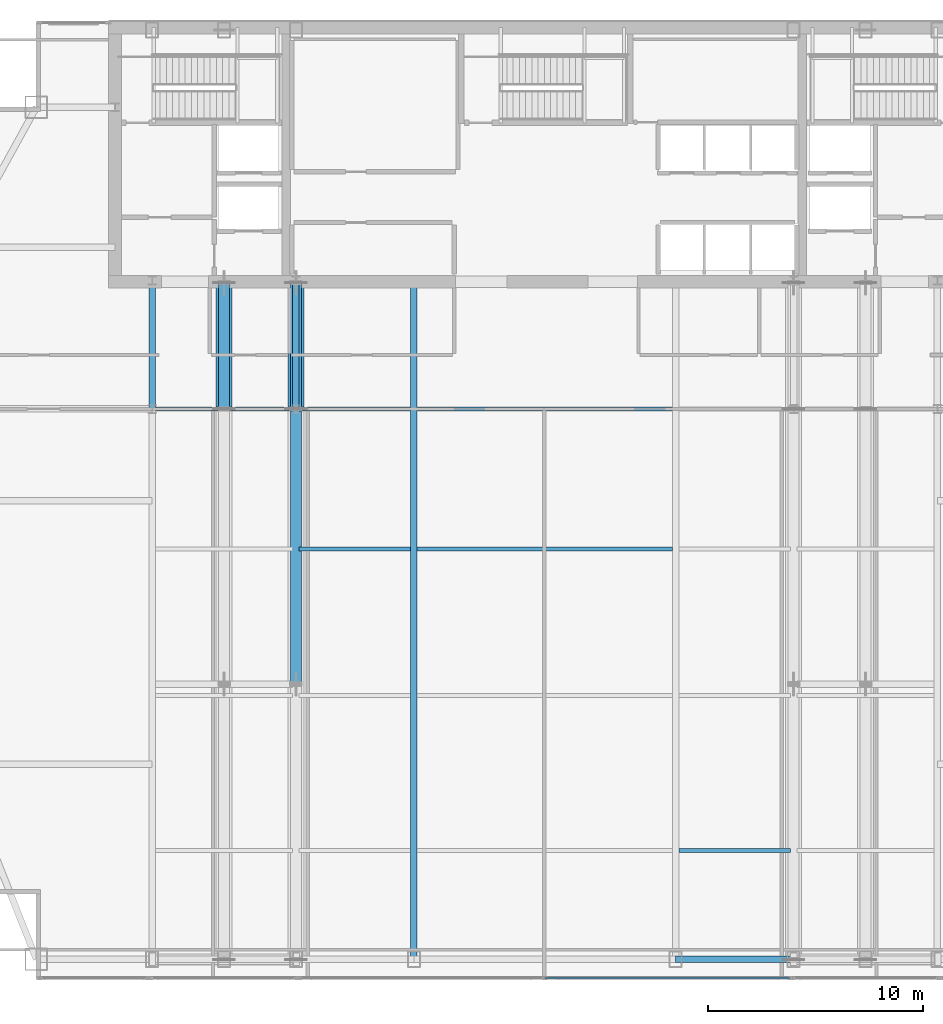
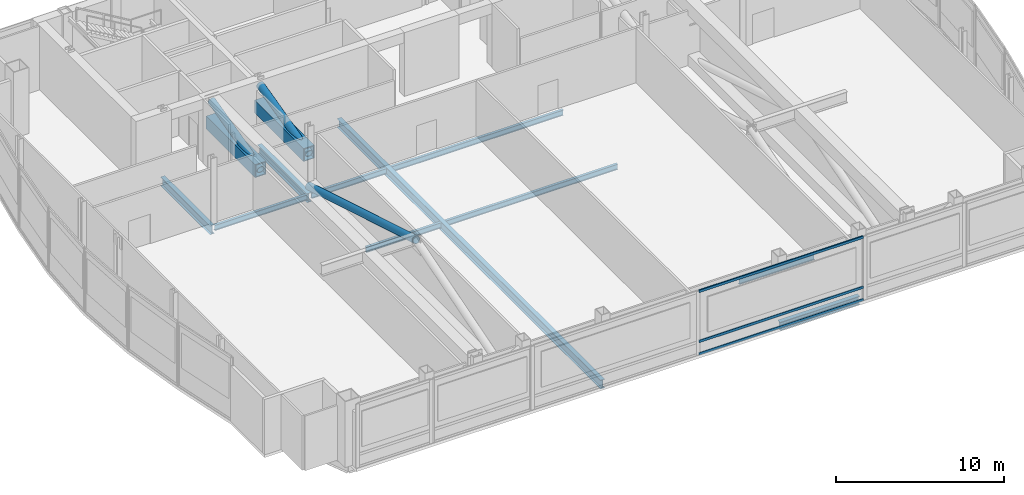
# One storey, part 15 of 32: 10 beams, 8 members, 1 element without a shape of its own.
"""IFC4 building model written with IfcOpenShell, lengths in metres."""

from ifc_helpers import new_model, si_unit, direction, frame, origin, origin_2d, place, context, subcontext, project, spatial, hollow_rectangle, hollow_circle, i_section, extrude, material, material_profile, profile_set, type_object, element, aggregate, save


model = new_model("IFC4")

# Units and contexts
model_context = context("Model", 3, precision=1e-05, world=origin(), true_north=direction((0.0, 1.0)))
body_context = subcontext(model_context, "Body", "Model", "MODEL_VIEW")
ifc_project = project(units=[si_unit("LENGTHUNIT", "METRE"), si_unit("AREAUNIT", "SQUARE_METRE"), si_unit("VOLUMEUNIT", "CUBIC_METRE"), si_unit("PLANEANGLEUNIT", "RADIAN"), si_unit("MASSUNIT", "GRAM", prefix="KILO")], contexts=[model_context])

# Site, building, storey
site_placement = place(None, origin())
site = spatial("IfcSite", under=ifc_project, at=site_placement, CompositionType="ELEMENT")
building_placement = place(site_placement, origin())
building = spatial("IfcBuilding", under=site, at=building_placement, Name="Khoronbel Lancet Exchange", CompositionType="ELEMENT")
storey_placement = place(building_placement, frame((0.0, 0.0, 257.0)))
storey = spatial("IfcBuildingStorey", under=building, at=storey_placement, Name="L66", CompositionType="ELEMENT", Elevation=257.0)

# Beams
ifc_material_1 = material(Name="Steel S355", Category="steel")
ifc_material_profile_1 = material_profile(ifc_material_1, i_section(OverallWidth=0.300048828125, OverallDepth=0.64990234375, WebThickness=0.01611328125, FlangeThickness=0.031005859375, at=origin_2d()), Name="HEB 650")
ifc_profile_set_1 = profile_set([ifc_material_profile_1], Name="Steel S355")
beam_type_1 = type_object("IfcBeamType", Name="BM-BG4", PredefinedType="BEAM", material=ifc_profile_set_1)
for number, where, z_axis, x_axis, name in (
    (1, (18.22509765625, 35.699951171875, -0.544921875), (0.0, 1.0, 0.0), (-1.0, 0.0, 0.0), "Level L66 spine tie girder GN1"),
    (2, (24.89990234375, 35.699951171875, -0.544921875), (0.0, 1.0, 0.0), (-1.0, 0.0, 0.0), "Level L66 spine tie girder GN2"),
):
    element("IfcBeam", number, at=place(storey_placement, frame(where, z_axis=z_axis, x_axis=x_axis)), inside=storey, type_object=beam_type_1, Name=name, PredefinedType="BEAM", context=body_context, shape_type="SweptSolid", body=[
        extrude(i_section(OverallWidth=0.300048828125, OverallDepth=0.64990234375, WebThickness=0.01611328125, FlangeThickness=0.031005859375, at=origin_2d()), origin(), (0.0, 0.0, 1.0), 5.900146484375),
    ])
beam_1_placement = place(storey_placement, frame((30.375, 10.14990234375, -0.544921875), z_axis=(0.0, 1.0, 0.0), x_axis=(-1.0, 0.0, 0.0)))
element("IfcBeam", 3, at=beam_1_placement, inside=storey, type_object=beam_type_1, Name="Level L66 primary floor girder G3", PredefinedType="BEAM", context=body_context, shape_type="SweptSolid", body=[
    extrude(i_section(OverallWidth=0.300048828125, OverallDepth=0.64990234375, WebThickness=0.01611328125, FlangeThickness=0.031005859375, at=origin_2d()), origin(), (0.0, 0.0, 1.0), 31.4501953125),
])
ifc_material_profile_2 = material_profile(ifc_material_1, i_section(OverallWidth=0.179931640625, OverallDepth=0.39990234375, WebThickness=0.008544921875, FlangeThickness=0.013427734375, at=origin_2d()), Name="IPE 400")
ifc_profile_set_2 = profile_set([ifc_material_profile_2], Name="Steel S355")
beam_type_2 = type_object("IfcBeamType", Name="BM-BJ5", PredefinedType="JOIST", material=ifc_profile_set_2)
for number, where, z_axis, x_axis, name in (
    (4, (42.675048828125, 15.199951171875, -0.419921875), (1.0, 0.0, 0.0), (0.0, 1.0, 0.0), "Level L66 secondary composite joist J04"),
    (5, (25.050048828125, 29.199951171875, -0.419921875), (1.0, 0.0, 0.0), (0.0, 1.0, 0.0), "Level L66 secondary composite joist J12"),
):
    element("IfcBeam", number, at=place(storey_placement, frame(where, z_axis=z_axis, x_axis=x_axis)), inside=storey, type_object=beam_type_2, Name=name, PredefinedType="JOIST", context=body_context, shape_type="SweptSolid", body=[
        extrude(i_section(OverallWidth=0.179931640625, OverallDepth=0.39990234375, WebThickness=0.008544921875, FlangeThickness=0.013427734375, at=origin_2d()), origin(), (0.0, 0.0, 1.0), 5.175048828125),
    ])
beam_2_placement = place(storey_placement, frame((30.52490234375, 29.199951171875, -0.419921875), z_axis=(1.0, 0.0, 0.0), x_axis=(0.0, 1.0, 0.0)))
element("IfcBeam", 6, at=beam_2_placement, inside=storey, type_object=beam_type_2, Name="Level L66 secondary composite joist J13", PredefinedType="JOIST", context=body_context, shape_type="SweptSolid", body=[
    extrude(i_section(OverallWidth=0.179931640625, OverallDepth=0.39990234375, WebThickness=0.008544921875, FlangeThickness=0.013427734375, at=origin_2d()), origin(), (0.0, 0.0, 1.0), 11.85009765625),
])
beam_3_placement = place(storey_placement, frame((18.375, 35.699951171875, -0.419921875), z_axis=(1.0, 0.0, 0.0), x_axis=(0.0, 1.0, 0.0)))
element("IfcBeam", 7, at=beam_3_placement, inside=storey, type_object=beam_type_2, Name="Level L66 secondary composite joist J16", PredefinedType="JOIST", context=body_context, shape_type="SweptSolid", body=[
    extrude(i_section(OverallWidth=0.179931640625, OverallDepth=0.39990234375, WebThickness=0.008544921875, FlangeThickness=0.013427734375, at=origin_2d()), origin(), (0.0, 0.0, 1.0), 6.375),
])
beam_4_placement = place(storey_placement, frame((25.050048828125, 35.699951171875, -0.419921875), z_axis=(1.0, 0.0, 0.0), x_axis=(0.0, 1.0, 0.0)))
element("IfcBeam", 8, at=beam_4_placement, inside=storey, type_object=beam_type_2, Name="Level L66 secondary composite joist J17", PredefinedType="JOIST", context=body_context, shape_type="SweptSolid", body=[
    extrude(i_section(OverallWidth=0.179931640625, OverallDepth=0.39990234375, WebThickness=0.008544921875, FlangeThickness=0.013427734375, at=origin_2d()), origin(), (0.0, 0.0, 1.0), 5.175048828125),
])
beam_5_placement = place(storey_placement, frame((30.52490234375, 35.699951171875, -0.419921875), z_axis=(1.0, 0.0, 0.0), x_axis=(0.0, 1.0, 0.0)))
element("IfcBeam", 9, at=beam_5_placement, inside=storey, type_object=beam_type_2, Name="Level L66 secondary composite joist J18", PredefinedType="JOIST", context=body_context, shape_type="SweptSolid", body=[
    extrude(i_section(OverallWidth=0.179931640625, OverallDepth=0.39990234375, WebThickness=0.008544921875, FlangeThickness=0.013427734375, at=origin_2d()), origin(), (0.0, 0.0, 1.0), 11.85009765625),
])
ifc_material_profile_3 = material_profile(ifc_material_1, i_section(OverallWidth=0.300048828125, OverallDepth=0.60009765625, WebThickness=0.015380859375, FlangeThickness=0.030029296875, at=origin_2d()), Name="HEB 600")
ifc_profile_set_3 = profile_set([ifc_material_profile_3], Name="Steel S355")
beam_type_3 = type_object("IfcBeamType", Name="BM-BSP2", PredefinedType="SPANDREL", material=ifc_profile_set_3)
beam_6_placement = place(storey_placement, frame((42.52490234375, 10.14990234375, -0.52001953125), z_axis=(1.0, 0.0, 0.0), x_axis=(0.0, 1.0, 0.0)))
element("IfcBeam", 10, at=beam_6_placement, inside=storey, type_object=beam_type_3, Name="Level L66 perimeter spandrel beam SP06", PredefinedType="SPANDREL", context=body_context, shape_type="SweptSolid", body=[
    extrude(i_section(OverallWidth=0.300048828125, OverallDepth=0.60009765625, WebThickness=0.015380859375, FlangeThickness=0.030029296875, at=origin_2d()), origin(), (0.0, 0.0, 1.0), 5.47509765625),
])

# Curtain wall, members
ifc_material_2 = material(Name="Low-E Solar Control Insulating Glass", Category="glass")
curtain_wall_type = type_object("IfcCurtainWallType", Name="CW-3", PredefinedType="NOTDEFINED", material=ifc_material_2)
curtain_wall_placement = place(storey_placement, origin())
curtain_wall = element("IfcCurtainWall", 11, at=curtain_wall_placement, inside=storey, type_object=curtain_wall_type, Name="Unitised curtain wall CW-L66-SCV", PredefinedType="NOTDEFINED")
ifc_material_3 = material(Name="Bronze-Anodised Aluminium 6063-T6", Category="aluminium")
ifc_material_profile_4 = material_profile(ifc_material_3, hollow_rectangle(XDim=0.0849609375, YDim=0.179931640625, WallThickness=0.0048828125, at=origin_2d()), Name="ALU TRANSOM 85x180")
ifc_profile_set_4 = profile_set([ifc_material_profile_4], Name="Bronze-Anodised Aluminium 6063-T6")
member_type_1 = type_object("IfcMemberType", Name="MEM-CWT1", PredefinedType="USERDEFINED", material=ifc_profile_set_4)
member_1_placement = place(storey_placement, frame((36.492431640625, 9.2900390625, 0.04248046875), z_axis=(1.0, 0.0, 0.0), x_axis=(0.0, 1.0, 0.0)))
member_1 = element("IfcMember", 12, at=member_1_placement, type_object=member_type_1, Name="CW3 transom 2.1", ObjectType="TRANSOM", PredefinedType="USERDEFINED", context=body_context, shape_type="SweptSolid", body=[
    extrude(hollow_rectangle(XDim=0.0849609375, YDim=0.179931640625, WallThickness=0.0048828125, at=origin_2d()), origin(), (0.0, 0.0, 1.0), 11.322509765625),
])
member_2_placement = place(storey_placement, frame((36.492431640625, 9.2900390625, 0.949951171875), z_axis=(1.0, 0.0, 0.0), x_axis=(0.0, 1.0, 0.0)))
member_2 = element("IfcMember", 13, at=member_2_placement, type_object=member_type_1, Name="CW3 transom 2.2", ObjectType="TRANSOM", PredefinedType="USERDEFINED", context=body_context, shape_type="SweptSolid", body=[
    extrude(hollow_rectangle(XDim=0.0849609375, YDim=0.179931640625, WallThickness=0.0048828125, at=origin_2d()), origin(), (0.0, 0.0, 1.0), 11.322509765625),
])
member_3_placement = place(storey_placement, frame((36.492431640625, 9.2900390625, 4.597412109375), z_axis=(1.0, 0.0, 0.0), x_axis=(0.0, 1.0, 0.0)))
member_3 = element("IfcMember", 14, at=member_3_placement, type_object=member_type_1, Name="CW3 transom 2.3", ObjectType="TRANSOM", PredefinedType="USERDEFINED", context=body_context, shape_type="SweptSolid", body=[
    extrude(hollow_rectangle(XDim=0.0849609375, YDim=0.179931640625, WallThickness=0.0048828125, at=origin_2d()), origin(), (0.0, 0.0, 1.0), 11.322509765625),
])
aggregate(curtain_wall, [member_1, member_2, member_3])

# Members
ifc_material_4 = material(Name="Steel S460", Category="steel")
ifc_material_profile_5 = material_profile(ifc_material_4, hollow_circle(Radius=0.25390625, WallThickness=0.02490234375, at=origin_2d()), Name="CHS 508x25")
ifc_profile_set_5 = profile_set([ifc_material_profile_5], Name="Steel S460")
member_type_2 = type_object("IfcMemberType", Name="MEM-OBR2", PredefinedType="BRACE", material=ifc_profile_set_5)
member_4_placement = place(storey_placement, frame((21.5625, 35.699951171875, 2.679931640625), z_axis=(0.0, 0.970242453914, 0.242135459244), x_axis=(-1.0, 0.0, 0.0)))
element("IfcMember", 15, at=member_4_placement, inside=storey, type_object=member_type_2, Name="Outrigger truss diagonal L66-1-3", PredefinedType="BRACE", context=body_context, shape_type="SweptSolid", body=[
    extrude(hollow_circle(Radius=0.25390625, WallThickness=0.02490234375, at=origin_2d()), origin(), (0.0, 0.0, 1.0), 6.029541015625),
])
member_5_placement = place(storey_placement, frame((24.89990234375, 22.925048828125, 4.139892578125), z_axis=(0.0, 0.957674025544, -0.287854930126), x_axis=(-1.0, 0.0, 0.0)))
element("IfcMember", 16, at=member_5_placement, inside=storey, type_object=member_type_2, Name="Outrigger truss diagonal L66-2-2", PredefinedType="BRACE", context=body_context, shape_type="SweptSolid", body=[
    extrude(hollow_circle(Radius=0.25390625, WallThickness=0.02490234375, at=origin_2d()), origin(), (0.0, 0.0, 1.0), 13.339599609375),
])
member_6_placement = place(storey_placement, frame((24.89990234375, 35.699951171875, 2.679931640625), z_axis=(0.0, 0.970242453914, 0.242135459244), x_axis=(-1.0, 0.0, 0.0)))
element("IfcMember", 17, at=member_6_placement, inside=storey, type_object=member_type_2, Name="Outrigger truss diagonal L66-2-3", PredefinedType="BRACE", context=body_context, shape_type="SweptSolid", body=[
    extrude(hollow_circle(Radius=0.25390625, WallThickness=0.02490234375, at=origin_2d()), origin(), (0.0, 0.0, 1.0), 6.029541015625),
])
ifc_material_profile_6 = material_profile(ifc_material_4, hollow_rectangle(XDim=0.75, YDim=0.949951171875, WallThickness=0.054931640625, at=origin_2d()), Name="BOX 950x750x55")
ifc_profile_set_6 = profile_set([ifc_material_profile_6], Name="Steel S460")
member_type_3 = type_object("IfcMemberType", Name="MEM-OCH2", PredefinedType="CHORD", material=ifc_profile_set_6)
for number, where, z_axis, x_axis, name in (
    (18, (21.5625, 35.699951171875, 2.679931640625), (0.0, 1.0, 0.0), (-1.0, 0.0, 0.0), "Outrigger corridor portal tie chord L66-1-COR"),
    (19, (24.89990234375, 35.699951171875, 2.679931640625), (0.0, 1.0, 0.0), (-1.0, 0.0, 0.0), "Outrigger corridor portal tie chord L66-2-COR"),
):
    element("IfcMember", number, at=place(storey_placement, frame(where, z_axis=z_axis, x_axis=x_axis)), inside=storey, type_object=member_type_3, Name=name, PredefinedType="CHORD", context=body_context, shape_type="SweptSolid", body=[
        extrude(hollow_rectangle(XDim=0.75, YDim=0.949951171875, WallThickness=0.054931640625, at=origin_2d()), origin(), (0.0, 0.0, 1.0), 5.85009765625),
    ])

save(model, "model.ifc")
